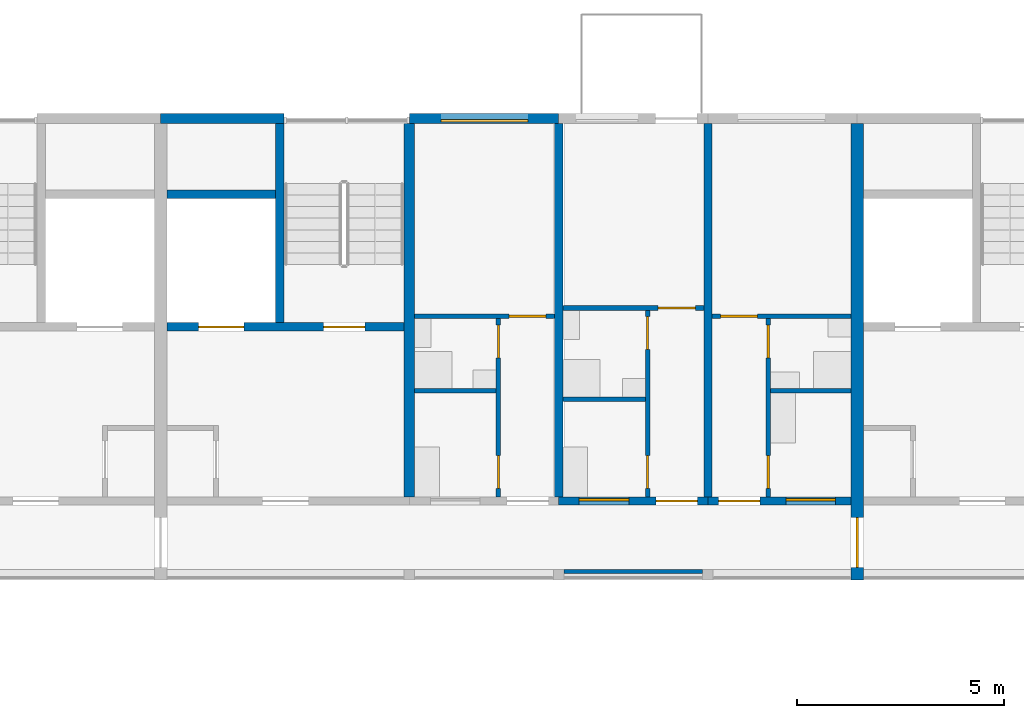
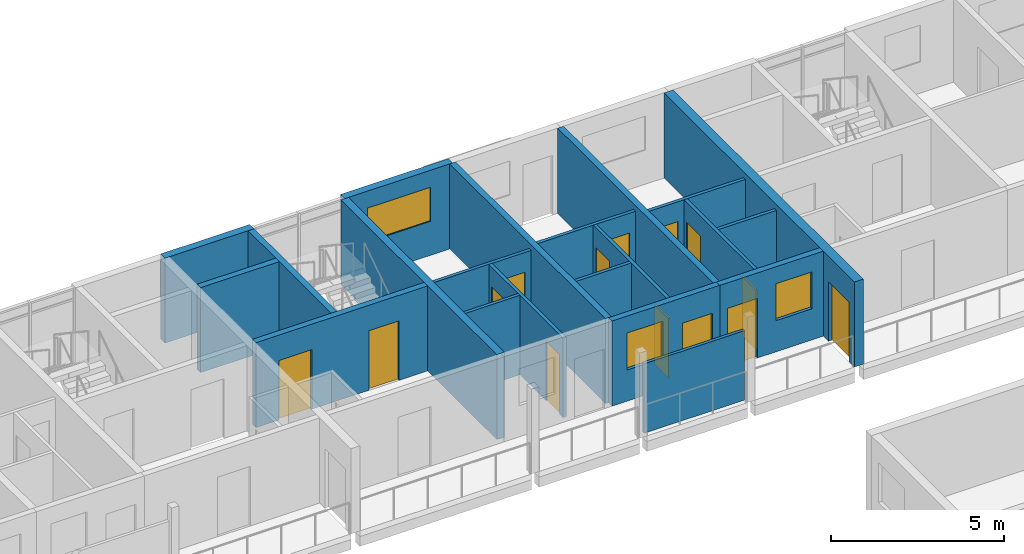
# One storey, part 65 of 122: 21 walls, 14 doors, 3 windows, 17 openings.
"""IFC4 building model written with IfcOpenShell, lengths in metres."""

from ifc_helpers import new_model, si_unit, direction, frame, frame_2d, origin, place, context, subcontext, project, spatial, rectangle, extrude, material, layer, layer_set, type_object, element, fill, save


model = new_model("IFC4")

# Units and contexts
model_context = context("Model", 3, precision=1e-05, world=origin(), true_north=direction((0.0, 1.0)))
body_context = subcontext(model_context, "Body", "Model", "MODEL_VIEW")
ifc_project = project(units=[si_unit("LENGTHUNIT", "METRE"), si_unit("AREAUNIT", "SQUARE_METRE"), si_unit("VOLUMEUNIT", "CUBIC_METRE"), si_unit("PLANEANGLEUNIT", "RADIAN"), si_unit("MASSUNIT", "GRAM", prefix="KILO")], contexts=[model_context])

# Site, building, storey
site_placement = place(None, origin())
site = spatial("IfcSite", under=ifc_project, at=site_placement, CompositionType="ELEMENT")
building_placement = place(site_placement, origin())
building = spatial("IfcBuilding", under=site, at=building_placement, Name="Ridgestep Commons", CompositionType="ELEMENT")
storey_placement = place(building_placement, frame((0.0, 0.0, 3.0)))
storey = spatial("IfcBuildingStorey", under=building, at=storey_placement, Name="L01", CompositionType="ELEMENT", Elevation=3.0)

# Wall
ifc_material_1 = material(Name="Concrete C30/37", Category="concrete")
ifc_layer_1 = layer(ifc_material_1, 0.25)
ifc_layer_set_1 = layer_set([ifc_layer_1], Name="Core cross wall 250")
wall_type_1 = type_object("IfcWallType", Name="Core cross wall 250", PredefinedType="SHEAR", material=ifc_layer_set_1)
wall_1_placement = place(storey_placement, frame((85.199951171875, 68.0, 0.0), z_axis=(0.0, 0.0, 1.0), x_axis=(0.0, 1.0, 0.0)))
element("IfcWall", 1, at=wall_1_placement, inside=storey, type_object=wall_type_1, Name="Cross wall B-01-0852", PredefinedType="SHEAR", context=body_context, shape_type="SweptSolid", body=[
    extrude(rectangle(XDim=9.0, YDim=0.25, at=frame_2d((4.5, 0.0))), origin(), (0.0, 0.0, 1.0), 3.0),
])

# Wall, openings, doors
ifc_material_2 = material(Name="Concrete C30/37", Category="concrete")
ifc_layer_2 = layer(ifc_material_2, 0.199951171875)
ifc_layer_set_2 = layer_set([ifc_layer_2], Name="Core wall 200")
wall_type_2 = type_object("IfcWallType", Name="Core wall 200", PredefinedType="SHEAR", material=ifc_layer_set_2)
wall_2_placement = place(storey_placement, frame((79.35009765625, 72.10009765625, 0.0), z_axis=(0.0, 0.0, 1.0), x_axis=(1.0, 0.0, 0.0)))
wall_2 = element("IfcWall", 2, at=wall_2_placement, inside=storey, type_object=wall_type_2, Name="Core lobby wall B5C L01", PredefinedType="SHEAR", context=body_context, shape_type="SweptSolid", body=[
    extrude(rectangle(XDim=5.724853515625, YDim=0.199951171875, at=frame_2d((2.8623046875, 0.0))), origin(), (0.0, 0.0, 1.0), 3.0),
])
opening_1_placement = place(wall_2_placement, frame((3.77490234375, 0.0, 0.0)))
opening_1 = element("IfcOpeningElement", 3, at=opening_1_placement, cuts=wall_2, Name="Opening B5C/01/2", PredefinedType="OPENING", context=body_context, shape_type="SweptSolid", body=[
    extrude(rectangle(XDim=1.0, YDim=2.10009765625, at=frame_2d((0.5, 1.050048828125))), frame((0.0, 0.10986328125, 0.0), z_axis=(0.0, -1.0, 0.0), x_axis=(1.0, 0.0, 0.0)), (0.0, 0.0, 1.0), 0.219970703125),
])
opening_2_placement = place(wall_2_placement, frame((0.762451171875, 0.0, 0.0)))
opening_2 = element("IfcOpeningElement", 4, at=opening_2_placement, cuts=wall_2, Name="Opening B5C/01/3", PredefinedType="OPENING", context=body_context, shape_type="SweptSolid", body=[
    extrude(rectangle(XDim=1.10009765625, YDim=2.10009765625, at=frame_2d((0.550048828125, 1.050048828125))), frame((0.0, 0.10986328125, 0.0), z_axis=(0.0, -1.0, 0.0), x_axis=(1.0, 0.0, 0.0)), (0.0, 0.0, 1.0), 0.219970703125),
])
ifc_material_3 = material(Name="Stainless steel", Category="steel")
door_type_1 = type_object("IfcDoorType", Name="Lift landing door 1100 x 2100 FD60", OperationType="DOUBLE_DOOR_SLIDING", PredefinedType="DOOR", material=ifc_material_3)
door_1_placement = place(opening_2_placement, origin())
door_1 = element("IfcDoor", 5, at=door_1_placement, inside=storey, type_object=door_type_1, Name="Landing door LD B5C L01", OperationType="DOUBLE_DOOR_SLIDING", OverallHeight=2.10009765625, OverallWidth=1.10009765625, PredefinedType="DOOR", context=body_context, shape_type="SweptSolid", body=[
    extrude(rectangle(XDim=1.10009765625, YDim=2.10009765625, at=frame_2d((0.550048828125, 1.050048828125))), frame((0.0, 0.02490234375, 0.0), z_axis=(0.0, -1.0, 0.0), x_axis=(1.0, 0.0, 0.0)), (0.0, 0.0, 1.0), 0.050048828125),
])
fill(opening_2, door_1)
ifc_material_4 = material(Name="Steel fire door", Category="steel")
door_type_2 = type_object("IfcDoorType", Name="Stair door 1000 x 2100 FD60", OperationType="NOTDEFINED", PredefinedType="DOOR", material=ifc_material_4)
door_2_placement = place(opening_1_placement, origin())
door_2 = element("IfcDoor", 6, at=door_2_placement, inside=storey, type_object=door_type_2, Name="Stair door B5C/01/2", OperationType="SINGLE_SWING_RIGHT", OverallHeight=2.10009765625, OverallWidth=1.0, PredefinedType="DOOR", context=body_context, shape_type="SweptSolid", body=[
    extrude(rectangle(XDim=1.0, YDim=2.10009765625, at=frame_2d((0.5, 1.050048828125))), frame((0.0, 0.02490234375, 0.0), z_axis=(0.0, -1.0, 0.0), x_axis=(1.0, 0.0, 0.0)), (0.0, 0.0, 1.0), 0.050048828125),
])
fill(opening_1, door_2)

# Walls
wall_3_placement = place(storey_placement, frame((82.074951171875, 72.199951171875, 0.0), z_axis=(0.0, 0.0, 1.0), x_axis=(0.0, 1.0, 0.0)))
element("IfcWall", 7, at=wall_3_placement, inside=storey, type_object=wall_type_2, Name="Core stair wall B5C L01", PredefinedType="SHEAR", context=body_context, shape_type="SweptSolid", body=[
    extrude(rectangle(XDim=4.800048828125, YDim=0.199951171875, at=frame_2d((2.39990234375, 0.0))), origin(), (0.0, 0.0, 1.0), 3.0),
])
wall_4_placement = place(storey_placement, frame((79.35009765625, 75.300048828125, 0.0), z_axis=(0.0, 0.0, 1.0), x_axis=(1.0, 0.0, 0.0)))
element("IfcWall", 8, at=wall_4_placement, inside=storey, type_object=wall_type_2, Name="Core duct wall B5C L01", PredefinedType="SHEAR", context=body_context, shape_type="SweptSolid", body=[
    extrude(rectangle(XDim=2.625, YDim=0.199951171875, at=frame_2d((1.3125, 0.0))), origin(), (0.0, 0.0, 1.0), 3.0),
])
ifc_material_5 = material(Name="Precast concrete C40/50", Category="concrete")
ifc_layer_3 = layer(ifc_material_5, 0.199951171875)
ifc_layer_set_3 = layer_set([ifc_layer_3], Name="Cross wall 200")
wall_type_3 = type_object("IfcWallType", Name="Cross wall 200", PredefinedType="SHEAR", material=ifc_layer_set_3)
for number, where, z_axis, x_axis, name in (
    (9, (88.800048828125, 68.0, 0.0), (0.0, 0.0, 1.0), (0.0, 1.0, 0.0), "Cross wall B-01-0888"),
    (10, (92.39990234375, 68.0, 0.0), (0.0, 0.0, 1.0), (0.0, 1.0, 0.0), "Cross wall B-01-0924"),
):
    element("IfcWall", number, at=place(storey_placement, frame(where, z_axis=z_axis, x_axis=x_axis)), inside=storey, type_object=wall_type_3, Name=name, PredefinedType="SHEAR", context=body_context, shape_type="SweptSolid", body=[
        extrude(rectangle(XDim=9.0, YDim=0.199951171875, at=frame_2d((4.5, 0.0))), origin(), (0.0, 0.0, 1.0), 3.0),
    ])

# Wall, opening, door
ifc_material_6 = material(Name="Precast concrete C40/50", Category="concrete")
ifc_layer_4 = layer(ifc_material_6, 0.300048828125)
ifc_layer_set_4 = layer_set([ifc_layer_4], Name="Division wall 300")
wall_type_4 = type_object("IfcWallType", Name="Division wall 300", PredefinedType="SHEAR", material=ifc_layer_set_4)
wall_5_placement = place(storey_placement, frame((96.0, 66.0, 0.0), z_axis=(0.0, 0.0, 1.0), x_axis=(0.0, 1.0, 0.0)))
wall_5 = element("IfcWall", 11, at=wall_5_placement, inside=storey, type_object=wall_type_4, Name="Cross wall B-01-0960", PredefinedType="SHEAR", context=body_context, shape_type="SweptSolid", body=[
    extrude(rectangle(XDim=11.0, YDim=0.300048828125, at=frame_2d((5.5, 0.0))), origin(), (0.0, 0.0, 1.0), 3.0),
])
opening_3_placement = place(wall_5_placement, frame((0.300048828125, 0.0, 0.0)))
opening_3 = element("IfcOpeningElement", 12, at=opening_3_placement, cuts=wall_5, Name="Opening B/01/G0960", PredefinedType="OPENING", context=body_context, shape_type="SweptSolid", body=[
    extrude(rectangle(XDim=1.199951171875, YDim=2.10009765625, at=frame_2d((0.60009765625, 1.050048828125))), frame((0.0, 0.159912109375, 0.0), z_axis=(0.0, -1.0, 0.0), x_axis=(1.0, 0.0, 0.0)), (0.0, 0.0, 1.0), 0.320068359375),
])
ifc_material_7 = material(Name="Steel fire door", Category="steel")
door_type_3 = type_object("IfcDoorType", Name="Division fire door 1200 x 2100 EI 240", OperationType="DOUBLE_DOOR_SINGLE_SWING", PredefinedType="DOOR", material=ifc_material_7)
door_3_placement = place(opening_3_placement, origin())
door_3 = element("IfcDoor", 13, at=door_3_placement, inside=storey, type_object=door_type_3, Name="Division fire door B/01/G0960", OperationType="DOUBLE_DOOR_SINGLE_SWING", OverallHeight=2.10009765625, OverallWidth=1.199951171875, PredefinedType="DOOR", context=body_context, shape_type="SweptSolid", body=[
    extrude(rectangle(XDim=1.199951171875, YDim=2.10009765625, at=frame_2d((0.60009765625, 1.050048828125))), frame((0.0, 0.02490234375, 0.0), z_axis=(0.0, -1.0, 0.0), x_axis=(1.0, 0.0, 0.0)), (0.0, 0.0, 1.0), 0.050048828125),
])
fill(opening_3, door_3)

# Wall
ifc_material_8 = material(Name="Precast concrete C40/50", Category="concrete")
ifc_layer_5 = layer(ifc_material_8, 0.25)
ifc_layer_set_5 = layer_set([ifc_layer_5], Name="North facade panel 250")
wall_type_5 = type_object("IfcWallType", Name="North facade panel 250", PredefinedType="SOLIDWALL", material=ifc_layer_set_5)
wall_6_placement = place(storey_placement, frame((79.199951171875, 77.125, 0.0), z_axis=(0.0, 0.0, 1.0), x_axis=(1.0, 0.0, 0.0)))
element("IfcWall", 14, at=wall_6_placement, inside=storey, type_object=wall_type_5, Name="North panel B5C L01", PredefinedType="SOLIDWALL", context=body_context, shape_type="SweptSolid", body=[
    extrude(rectangle(XDim=2.97509765625, YDim=0.25, at=frame_2d((1.487548828125, 0.0))), origin(), (0.0, 0.0, 1.0), 3.0),
])

# Wall, opening, window
wall_7_placement = place(storey_placement, frame((85.199951171875, 77.125, 0.0), z_axis=(0.0, 0.0, 1.0), x_axis=(1.0, 0.0, 0.0)))
wall_7 = element("IfcWall", 15, at=wall_7_placement, inside=storey, type_object=wall_type_5, Name="North panel B5T3 L01", PredefinedType="SOLIDWALL", context=body_context, shape_type="SweptSolid", body=[
    extrude(rectangle(XDim=3.60009765625, YDim=0.25, at=frame_2d((1.800048828125, 0.0))), origin(), (0.0, 0.0, 1.0), 3.0),
])
opening_4_placement = place(wall_7_placement, frame((0.762451171875, 0.0, 1.199951171875)))
opening_4 = element("IfcOpeningElement", 16, at=opening_4_placement, cuts=wall_7, Name="Opening W22", PredefinedType="OPENING", context=body_context, shape_type="SweptSolid", body=[
    extrude(rectangle(XDim=2.10009765625, YDim=1.199951171875, at=frame_2d((1.050048828125, 0.60009765625))), frame((0.0, 0.135009765625, 0.0), z_axis=(0.0, -1.0, 0.0), x_axis=(1.0, 0.0, 0.0)), (0.0, 0.0, 1.0), 0.27001953125),
])
ifc_material_9 = material(Name="Aluminium 6063-T6 and glass", Category="aluminium")
window_type_1 = type_object("IfcWindowType", Name="Flat window 2100 x 1200", PartitioningType="DOUBLE_PANEL_VERTICAL", PredefinedType="WINDOW", material=ifc_material_9)
window_1_placement = place(opening_4_placement, origin())
window_1 = element("IfcWindow", 17, at=window_1_placement, inside=storey, type_object=window_type_1, Name="Window B5-01c 2", OverallHeight=1.199951171875, OverallWidth=2.10009765625, PartitioningType="SINGLE_PANEL", PredefinedType="WINDOW", context=body_context, shape_type="SweptSolid", body=[
    extrude(rectangle(XDim=2.10009765625, YDim=1.199951171875, at=frame_2d((1.050048828125, 0.60009765625))), frame((0.0, -0.02490234375, 0.0), z_axis=(0.0, -1.0, 0.0), x_axis=(1.0, 0.0, 0.0)), (0.0, 0.0, 1.0), 0.06005859375),
])
fill(opening_4, window_1)

# Wall, openings, doors
ifc_material_10 = material(Name="Common brick 110 mm", Category="masonry")
ifc_layer_6 = layer(ifc_material_10, 0.110107421875)
ifc_layer_set_6 = layer_set([ifc_layer_6], Name="Partition 110")
wall_type_6 = type_object("IfcWallType", Name="Partition 110", PredefinedType="PARTITIONING", material=ifc_layer_set_6)
wall_8_placement = place(storey_placement, frame((93.85498046875, 68.0, 0.0), z_axis=(0.0, 0.0, 1.0), x_axis=(0.0, 1.0, 0.0)))
wall_8 = element("IfcWall", 18, at=wall_8_placement, inside=storey, type_object=wall_type_6, Name="Partition B5-01a", PredefinedType="PARTITIONING", context=body_context, shape_type="SweptSolid", body=[
    extrude(rectangle(XDim=4.300048828125, YDim=0.110107421875, at=frame_2d((2.14990234375, 0.0))), origin(), (0.0, 0.0, 1.0), 2.800048828125),
])
opening_5_placement = place(wall_8_placement, frame((0.199951171875, 0.0, 0.0)))
opening_5 = element("IfcOpeningElement", 19, at=opening_5_placement, cuts=wall_8, Name="Opening B5-01a/2", PredefinedType="OPENING", context=body_context, shape_type="SweptSolid", body=[
    extrude(rectangle(XDim=0.800048828125, YDim=2.10009765625, at=frame_2d((0.39990234375, 1.050048828125))), frame((0.0, 0.06494140625, 0.0), z_axis=(0.0, -1.0, 0.0), x_axis=(1.0, 0.0, 0.0)), (0.0, 0.0, 1.0), 0.130126953125),
])
opening_6_placement = place(wall_8_placement, frame((3.35009765625, 0.0, 0.0)))
opening_6 = element("IfcOpeningElement", 20, at=opening_6_placement, cuts=wall_8, Name="Opening B5-01a/3", PredefinedType="OPENING", context=body_context, shape_type="SweptSolid", body=[
    extrude(rectangle(XDim=0.800048828125, YDim=2.10009765625, at=frame_2d((0.39990234375, 1.050048828125))), frame((0.0, 0.06494140625, 0.0), z_axis=(0.0, -1.0, 0.0), x_axis=(1.0, 0.0, 0.0)), (0.0, 0.0, 1.0), 0.130126953125),
])
ifc_material_11 = material(Name="Timber door leaf", Category="wood")
door_type_4 = type_object("IfcDoorType", Name="Internal door 800 x 2100", OperationType="NOTDEFINED", PredefinedType="DOOR", material=ifc_material_11)
door_4_placement = place(opening_5_placement, origin())
door_4 = element("IfcDoor", 21, at=door_4_placement, inside=storey, type_object=door_type_4, Name="Internal door B5-01a/2", OperationType="SINGLE_SWING_RIGHT", OverallHeight=2.10009765625, OverallWidth=0.800048828125, PredefinedType="DOOR", context=body_context, shape_type="SweptSolid", body=[
    extrude(rectangle(XDim=0.800048828125, YDim=2.10009765625, at=frame_2d((0.39990234375, 1.050048828125))), frame((0.0, 0.02490234375, 0.0), z_axis=(0.0, -1.0, 0.0), x_axis=(1.0, 0.0, 0.0)), (0.0, 0.0, 1.0), 0.050048828125),
])
fill(opening_5, door_4)
door_5_placement = place(opening_6_placement, origin())
door_5 = element("IfcDoor", 22, at=door_5_placement, inside=storey, type_object=door_type_4, Name="Internal door B5-01a/3", OperationType="SINGLE_SWING_LEFT", OverallHeight=2.10009765625, OverallWidth=0.800048828125, PredefinedType="DOOR", context=body_context, shape_type="SweptSolid", body=[
    extrude(rectangle(XDim=0.800048828125, YDim=2.10009765625, at=frame_2d((0.39990234375, 1.050048828125))), frame((0.0, 0.02490234375, 0.0), z_axis=(0.0, -1.0, 0.0), x_axis=(1.0, 0.0, 0.0)), (0.0, 0.0, 1.0), 0.050048828125),
])
fill(opening_6, door_5)

# Wall
wall_9_placement = place(storey_placement, frame((93.909912109375, 70.554931640625, 0.0), z_axis=(0.0, 0.0, 1.0), x_axis=(1.0, 0.0, 0.0)))
element("IfcWall", 23, at=wall_9_placement, inside=storey, type_object=wall_type_6, Name="Partition B5-01a", PredefinedType="PARTITIONING", context=body_context, shape_type="SweptSolid", body=[
    extrude(rectangle(XDim=1.940185546875, YDim=0.110107421875, at=frame_2d((0.97021484375, 0.0))), origin(), (0.0, 0.0, 1.0), 2.800048828125),
])

# Wall, opening, door
wall_10_placement = place(storey_placement, frame((92.5, 72.35498046875, 0.0), z_axis=(0.0, 0.0, 1.0), x_axis=(1.0, 0.0, 0.0)))
wall_10 = element("IfcWall", 24, at=wall_10_placement, inside=storey, type_object=wall_type_6, Name="Partition B5-01a", PredefinedType="PARTITIONING", context=body_context, shape_type="SweptSolid", body=[
    extrude(rectangle(XDim=3.35009765625, YDim=0.110107421875, at=frame_2d((1.675048828125, 0.0))), origin(), (0.0, 0.0, 1.0), 2.800048828125),
])
opening_7_placement = place(wall_10_placement, frame((0.199951171875, 0.0, 0.0)))
opening_7 = element("IfcOpeningElement", 25, at=opening_7_placement, cuts=wall_10, Name="Opening B5-01a/4", PredefinedType="OPENING", context=body_context, shape_type="SweptSolid", body=[
    extrude(rectangle(XDim=0.89990234375, YDim=2.10009765625, at=frame_2d((0.449951171875, 1.050048828125))), frame((0.0, 0.06494140625, 0.0), z_axis=(0.0, -1.0, 0.0), x_axis=(1.0, 0.0, 0.0)), (0.0, 0.0, 1.0), 0.130126953125),
])
ifc_material_12 = material(Name="Timber door leaf", Category="wood")
door_type_5 = type_object("IfcDoorType", Name="Internal door 900 x 2100", OperationType="NOTDEFINED", PredefinedType="DOOR", material=ifc_material_12)
door_6_placement = place(opening_7_placement, origin())
door_6 = element("IfcDoor", 26, at=door_6_placement, inside=storey, type_object=door_type_5, Name="Internal door B5-01a/4", OperationType="SINGLE_SWING_RIGHT", OverallHeight=2.10009765625, OverallWidth=0.89990234375, PredefinedType="DOOR", context=body_context, shape_type="SweptSolid", body=[
    extrude(rectangle(XDim=0.89990234375, YDim=2.10009765625, at=frame_2d((0.449951171875, 1.050048828125))), frame((0.0, 0.02490234375, 0.0), z_axis=(0.0, -1.0, 0.0), x_axis=(1.0, 0.0, 0.0)), (0.0, 0.0, 1.0), 0.050048828125),
])
fill(opening_7, door_6)

# Wall
wall_11_placement = place(storey_placement, frame((88.89990234375, 70.35498046875, 0.0), z_axis=(0.0, 0.0, 1.0), x_axis=(1.0, 0.0, 0.0)))
element("IfcWall", 27, at=wall_11_placement, inside=storey, type_object=wall_type_6, Name="Partition B5-01b", PredefinedType="PARTITIONING", context=body_context, shape_type="SweptSolid", body=[
    extrude(rectangle(XDim=1.989990234375, YDim=0.110107421875, at=frame_2d((0.9951171875, 0.0))), origin(), (0.0, 0.0, 1.0), 2.800048828125),
])

# Wall, openings, doors
wall_12_placement = place(storey_placement, frame((90.945068359375, 68.0, 0.0), z_axis=(0.0, 0.0, 1.0), x_axis=(0.0, 1.0, 0.0)))
wall_12 = element("IfcWall", 28, at=wall_12_placement, inside=storey, type_object=wall_type_6, Name="Partition B5-01b", PredefinedType="PARTITIONING", context=body_context, shape_type="SweptSolid", body=[
    extrude(rectangle(XDim=4.5, YDim=0.110107421875, at=frame_2d((2.25, 0.0))), origin(), (0.0, 0.0, 1.0), 2.800048828125),
])
opening_8_placement = place(wall_12_placement, frame((0.199951171875, 0.0, 0.0)))
opening_8 = element("IfcOpeningElement", 29, at=opening_8_placement, cuts=wall_12, Name="Opening B5-01b/2", PredefinedType="OPENING", context=body_context, shape_type="SweptSolid", body=[
    extrude(rectangle(XDim=0.800048828125, YDim=2.10009765625, at=frame_2d((0.39990234375, 1.050048828125))), frame((0.0, 0.06494140625, 0.0), z_axis=(0.0, -1.0, 0.0), x_axis=(1.0, 0.0, 0.0)), (0.0, 0.0, 1.0), 0.130126953125),
])
opening_9_placement = place(wall_12_placement, frame((3.550048828125, 0.0, 0.0)))
opening_9 = element("IfcOpeningElement", 30, at=opening_9_placement, cuts=wall_12, Name="Opening B5-01b/3", PredefinedType="OPENING", context=body_context, shape_type="SweptSolid", body=[
    extrude(rectangle(XDim=0.800048828125, YDim=2.10009765625, at=frame_2d((0.39990234375, 1.050048828125))), frame((0.0, 0.06494140625, 0.0), z_axis=(0.0, -1.0, 0.0), x_axis=(1.0, 0.0, 0.0)), (0.0, 0.0, 1.0), 0.130126953125),
])
door_7_placement = place(opening_8_placement, origin())
door_7 = element("IfcDoor", 31, at=door_7_placement, inside=storey, type_object=door_type_4, Name="Internal door B5-01b/2", OperationType="SINGLE_SWING_LEFT", OverallHeight=2.10009765625, OverallWidth=0.800048828125, PredefinedType="DOOR", context=body_context, shape_type="SweptSolid", body=[
    extrude(rectangle(XDim=0.800048828125, YDim=2.10009765625, at=frame_2d((0.39990234375, 1.050048828125))), frame((0.0, 0.02490234375, 0.0), z_axis=(0.0, -1.0, 0.0), x_axis=(1.0, 0.0, 0.0)), (0.0, 0.0, 1.0), 0.050048828125),
])
fill(opening_8, door_7)
door_8_placement = place(opening_9_placement, origin())
door_8 = element("IfcDoor", 32, at=door_8_placement, inside=storey, type_object=door_type_4, Name="Internal door B5-01b/3", OperationType="SINGLE_SWING_RIGHT", OverallHeight=2.10009765625, OverallWidth=0.800048828125, PredefinedType="DOOR", context=body_context, shape_type="SweptSolid", body=[
    extrude(rectangle(XDim=0.800048828125, YDim=2.10009765625, at=frame_2d((0.39990234375, 1.050048828125))), frame((0.0, 0.02490234375, 0.0), z_axis=(0.0, -1.0, 0.0), x_axis=(1.0, 0.0, 0.0)), (0.0, 0.0, 1.0), 0.050048828125),
])
fill(opening_9, door_8)

# Wall, opening, door
wall_13_placement = place(storey_placement, frame((88.89990234375, 72.554931640625, 0.0), z_axis=(0.0, 0.0, 1.0), x_axis=(1.0, 0.0, 0.0)))
wall_13 = element("IfcWall", 33, at=wall_13_placement, inside=storey, type_object=wall_type_6, Name="Partition B5-01b", PredefinedType="PARTITIONING", context=body_context, shape_type="SweptSolid", body=[
    extrude(rectangle(XDim=3.400146484375, YDim=0.110107421875, at=frame_2d((1.7001953125, 0.0))), origin(), (0.0, 0.0, 1.0), 2.800048828125),
])
opening_10_placement = place(wall_13_placement, frame((2.300048828125, 0.0, 0.0)))
opening_10 = element("IfcOpeningElement", 34, at=opening_10_placement, cuts=wall_13, Name="Opening B5-01b/4", PredefinedType="OPENING", context=body_context, shape_type="SweptSolid", body=[
    extrude(rectangle(XDim=0.89990234375, YDim=2.10009765625, at=frame_2d((0.449951171875, 1.050048828125))), frame((0.0, 0.06494140625, 0.0), z_axis=(0.0, -1.0, 0.0), x_axis=(1.0, 0.0, 0.0)), (0.0, 0.0, 1.0), 0.130126953125),
])
door_9_placement = place(opening_10_placement, origin())
door_9 = element("IfcDoor", 35, at=door_9_placement, inside=storey, type_object=door_type_5, Name="Internal door B5-01b/4", OperationType="SINGLE_SWING_LEFT", OverallHeight=2.10009765625, OverallWidth=0.89990234375, PredefinedType="DOOR", context=body_context, shape_type="SweptSolid", body=[
    extrude(rectangle(XDim=0.89990234375, YDim=2.10009765625, at=frame_2d((0.449951171875, 1.050048828125))), frame((0.0, 0.02490234375, 0.0), z_axis=(0.0, -1.0, 0.0), x_axis=(1.0, 0.0, 0.0)), (0.0, 0.0, 1.0), 0.050048828125),
])
fill(opening_10, door_9)

# Wall
wall_14_placement = place(storey_placement, frame((85.324951171875, 70.554931640625, 0.0), z_axis=(0.0, 0.0, 1.0), x_axis=(1.0, 0.0, 0.0)))
element("IfcWall", 36, at=wall_14_placement, inside=storey, type_object=wall_type_6, Name="Partition B5-01c", PredefinedType="PARTITIONING", context=body_context, shape_type="SweptSolid", body=[
    extrude(rectangle(XDim=1.965087890625, YDim=0.110107421875, at=frame_2d((0.982421875, 0.0))), origin(), (0.0, 0.0, 1.0), 2.800048828125),
])

# Wall, openings, doors
wall_15_placement = place(storey_placement, frame((87.344970703125, 68.0, 0.0), z_axis=(0.0, 0.0, 1.0), x_axis=(0.0, 1.0, 0.0)))
wall_15 = element("IfcWall", 37, at=wall_15_placement, inside=storey, type_object=wall_type_6, Name="Partition B5-01c", PredefinedType="PARTITIONING", context=body_context, shape_type="SweptSolid", body=[
    extrude(rectangle(XDim=4.300048828125, YDim=0.110107421875, at=frame_2d((2.14990234375, 0.0))), origin(), (0.0, 0.0, 1.0), 2.800048828125),
])
opening_11_placement = place(wall_15_placement, frame((0.199951171875, 0.0, 0.0)))
opening_11 = element("IfcOpeningElement", 38, at=opening_11_placement, cuts=wall_15, Name="Opening B5-01c/2", PredefinedType="OPENING", context=body_context, shape_type="SweptSolid", body=[
    extrude(rectangle(XDim=0.800048828125, YDim=2.10009765625, at=frame_2d((0.39990234375, 1.050048828125))), frame((0.0, 0.06494140625, 0.0), z_axis=(0.0, -1.0, 0.0), x_axis=(1.0, 0.0, 0.0)), (0.0, 0.0, 1.0), 0.130126953125),
])
opening_12_placement = place(wall_15_placement, frame((3.35009765625, 0.0, 0.0)))
opening_12 = element("IfcOpeningElement", 39, at=opening_12_placement, cuts=wall_15, Name="Opening B5-01c/3", PredefinedType="OPENING", context=body_context, shape_type="SweptSolid", body=[
    extrude(rectangle(XDim=0.800048828125, YDim=2.10009765625, at=frame_2d((0.39990234375, 1.050048828125))), frame((0.0, 0.06494140625, 0.0), z_axis=(0.0, -1.0, 0.0), x_axis=(1.0, 0.0, 0.0)), (0.0, 0.0, 1.0), 0.130126953125),
])
door_10_placement = place(opening_11_placement, origin())
door_10 = element("IfcDoor", 40, at=door_10_placement, inside=storey, type_object=door_type_4, Name="Internal door B5-01c/2", OperationType="SINGLE_SWING_LEFT", OverallHeight=2.10009765625, OverallWidth=0.800048828125, PredefinedType="DOOR", context=body_context, shape_type="SweptSolid", body=[
    extrude(rectangle(XDim=0.800048828125, YDim=2.10009765625, at=frame_2d((0.39990234375, 1.050048828125))), frame((0.0, 0.02490234375, 0.0), z_axis=(0.0, -1.0, 0.0), x_axis=(1.0, 0.0, 0.0)), (0.0, 0.0, 1.0), 0.050048828125),
])
fill(opening_11, door_10)
door_11_placement = place(opening_12_placement, origin())
door_11 = element("IfcDoor", 41, at=door_11_placement, inside=storey, type_object=door_type_4, Name="Internal door B5-01c/3", OperationType="SINGLE_SWING_RIGHT", OverallHeight=2.10009765625, OverallWidth=0.800048828125, PredefinedType="DOOR", context=body_context, shape_type="SweptSolid", body=[
    extrude(rectangle(XDim=0.800048828125, YDim=2.10009765625, at=frame_2d((0.39990234375, 1.050048828125))), frame((0.0, 0.02490234375, 0.0), z_axis=(0.0, -1.0, 0.0), x_axis=(1.0, 0.0, 0.0)), (0.0, 0.0, 1.0), 0.050048828125),
])
fill(opening_12, door_11)

# Wall, opening, door
wall_16_placement = place(storey_placement, frame((85.324951171875, 72.35498046875, 0.0), z_axis=(0.0, 0.0, 1.0), x_axis=(1.0, 0.0, 0.0)))
wall_16 = element("IfcWall", 42, at=wall_16_placement, inside=storey, type_object=wall_type_6, Name="Partition B5-01c", PredefinedType="PARTITIONING", context=body_context, shape_type="SweptSolid", body=[
    extrude(rectangle(XDim=3.375, YDim=0.110107421875, at=frame_2d((1.6875, 0.0))), origin(), (0.0, 0.0, 1.0), 2.800048828125),
])
opening_13_placement = place(wall_16_placement, frame((2.27490234375, 0.0, 0.0)))
opening_13 = element("IfcOpeningElement", 43, at=opening_13_placement, cuts=wall_16, Name="Opening B5-01c/4", PredefinedType="OPENING", context=body_context, shape_type="SweptSolid", body=[
    extrude(rectangle(XDim=0.89990234375, YDim=2.10009765625, at=frame_2d((0.449951171875, 1.050048828125))), frame((0.0, 0.06494140625, 0.0), z_axis=(0.0, -1.0, 0.0), x_axis=(1.0, 0.0, 0.0)), (0.0, 0.0, 1.0), 0.130126953125),
])
door_12_placement = place(opening_13_placement, origin())
door_12 = element("IfcDoor", 44, at=door_12_placement, inside=storey, type_object=door_type_5, Name="Internal door B5-01c/4", OperationType="SINGLE_SWING_RIGHT", OverallHeight=2.10009765625, OverallWidth=0.89990234375, PredefinedType="DOOR", context=body_context, shape_type="SweptSolid", body=[
    extrude(rectangle(XDim=0.89990234375, YDim=2.10009765625, at=frame_2d((0.449951171875, 1.050048828125))), frame((0.0, 0.02490234375, 0.0), z_axis=(0.0, -1.0, 0.0), x_axis=(1.0, 0.0, 0.0)), (0.0, 0.0, 1.0), 0.050048828125),
])
fill(opening_13, door_12)

# Wall
ifc_material_13 = material(Name="Precast concrete C30/37", Category="concrete")
ifc_layer_7 = layer(ifc_material_13, 0.10009765625)
ifc_layer_set_7 = layer_set([ifc_layer_7], Name="Perforated gallery screen 3350 x 2450 x 100")
wall_type_7 = type_object("IfcWallType", Name="Perforated gallery screen 3350 x 2450 x 100", PredefinedType="SOLIDWALL", material=ifc_layer_set_7)
wall_17_placement = place(storey_placement, frame((88.925048828125, 66.199951171875, 0.0), z_axis=(0.0, 0.0, 1.0), x_axis=(1.0, 0.0, 0.0)))
element("IfcWall", 45, at=wall_17_placement, inside=storey, type_object=wall_type_7, Name="Gallery screen B5T2 01", PredefinedType="SOLIDWALL", context=body_context, shape_type="SweptSolid", body=[
    extrude(rectangle(XDim=3.349853515625, YDim=0.10009765625, at=frame_2d((1.6748046875, 0.0))), origin(), (0.0, 0.0, 1.0), 2.449951171875),
])

# Wall, openings, door, window
ifc_material_14 = material(Name="Precast concrete C40/50", Category="concrete")
ifc_layer_8 = layer(ifc_material_14, 0.199951171875)
ifc_layer_set_8 = layer_set([ifc_layer_8], Name="South facade panel 200")
wall_type_8 = type_object("IfcWallType", Name="South facade panel 200", PredefinedType="SOLIDWALL", material=ifc_layer_set_8)
wall_18_placement = place(storey_placement, frame((88.800048828125, 67.89990234375, 0.0), z_axis=(0.0, 0.0, 1.0), x_axis=(1.0, 0.0, 0.0)))
wall_18 = element("IfcWall", 46, at=wall_18_placement, inside=storey, type_object=wall_type_8, Name="South panel B5T2 L01", PredefinedType="SOLIDWALL", context=body_context, shape_type="SweptSolid", body=[
    extrude(rectangle(XDim=3.599853515625, YDim=0.199951171875, at=frame_2d((1.7998046875, 0.0))), origin(), (0.0, 0.0, 1.0), 3.0),
])
opening_14_placement = place(wall_18_placement, frame((0.4951171875, 0.0, 1.10009765625)))
opening_14 = element("IfcOpeningElement", 47, at=opening_14_placement, cuts=wall_18, Name="Opening W08", PredefinedType="OPENING", context=body_context, shape_type="SweptSolid", body=[
    extrude(rectangle(XDim=1.199951171875, YDim=1.300048828125, at=frame_2d((0.60009765625, 0.64990234375))), frame((0.0, 0.10986328125, 0.0), z_axis=(0.0, -1.0, 0.0), x_axis=(1.0, 0.0, 0.0)), (0.0, 0.0, 1.0), 0.219970703125),
])
opening_15_placement = place(wall_18_placement, frame((2.35009765625, 0.0, 0.0)))
opening_15 = element("IfcOpeningElement", 48, at=opening_15_placement, cuts=wall_18, Name="Opening B5-01b/1", PredefinedType="OPENING", context=body_context, shape_type="SweptSolid", body=[
    extrude(rectangle(XDim=1.0, YDim=2.10009765625, at=frame_2d((0.5, 1.050048828125))), frame((0.0, 0.10986328125, 0.0), z_axis=(0.0, -1.0, 0.0), x_axis=(1.0, 0.0, 0.0)), (0.0, 0.0, 1.0), 0.219970703125),
])
ifc_material_15 = material(Name="Timber door leaf", Category="wood")
door_type_6 = type_object("IfcDoorType", Name="Flat entrance door 1000 x 2100 FD30S", OperationType="NOTDEFINED", PredefinedType="DOOR", material=ifc_material_15)
door_13_placement = place(opening_15_placement, origin())
door_13 = element("IfcDoor", 49, at=door_13_placement, inside=storey, type_object=door_type_6, Name="Flat entrance door B5-01b/1", OperationType="SINGLE_SWING_RIGHT", OverallHeight=2.10009765625, OverallWidth=1.0, PredefinedType="DOOR", context=body_context, shape_type="SweptSolid", body=[
    extrude(rectangle(XDim=1.0, YDim=2.10009765625, at=frame_2d((0.5, 1.050048828125))), frame((0.0, 0.02490234375, 0.0), z_axis=(0.0, -1.0, 0.0), x_axis=(1.0, 0.0, 0.0)), (0.0, 0.0, 1.0), 0.050048828125),
])
fill(opening_15, door_13)
ifc_material_16 = material(Name="Aluminium 6063-T6 and glass", Category="aluminium")
window_type_2 = type_object("IfcWindowType", Name="Flat window 1200 x 1300", PartitioningType="SINGLE_PANEL", PredefinedType="WINDOW", material=ifc_material_16)
window_2_placement = place(opening_14_placement, origin())
window_2 = element("IfcWindow", 50, at=window_2_placement, inside=storey, type_object=window_type_2, Name="Window B5-01b 1", OverallHeight=1.300048828125, OverallWidth=1.199951171875, PartitioningType="SINGLE_PANEL", PredefinedType="WINDOW", context=body_context, shape_type="SweptSolid", body=[
    extrude(rectangle(XDim=1.199951171875, YDim=1.300048828125, at=frame_2d((0.60009765625, 0.64990234375))), frame((0.0, 0.06005859375, 0.0), z_axis=(0.0, -1.0, 0.0), x_axis=(1.0, 0.0, 0.0)), (0.0, 0.0, 1.0), 0.06005859375),
])
fill(opening_14, window_2)

wall_19_placement = place(storey_placement, frame((92.39990234375, 67.89990234375, 0.0), z_axis=(0.0, 0.0, 1.0), x_axis=(1.0, 0.0, 0.0)))
wall_19 = element("IfcWall", 51, at=wall_19_placement, inside=storey, type_object=wall_type_8, Name="South panel B5T1 L01", PredefinedType="SOLIDWALL", context=body_context, shape_type="SweptSolid", body=[
    extrude(rectangle(XDim=3.4501953125, YDim=0.199951171875, at=frame_2d((1.72509765625, 0.0))), origin(), (0.0, 0.0, 1.0), 3.0),
])
opening_16_placement = place(wall_19_placement, frame((1.8798828125, 0.0, 1.10009765625)))
opening_16 = element("IfcOpeningElement", 52, at=opening_16_placement, cuts=wall_19, Name="Opening W08", PredefinedType="OPENING", context=body_context, shape_type="SweptSolid", body=[
    extrude(rectangle(XDim=1.199951171875, YDim=1.300048828125, at=frame_2d((0.60009765625, 0.64990234375))), frame((0.0, 0.10986328125, 0.0), z_axis=(0.0, -1.0, 0.0), x_axis=(1.0, 0.0, 0.0)), (0.0, 0.0, 1.0), 0.219970703125),
])
opening_17_placement = place(wall_19_placement, frame((0.25, 0.0, 0.0)))
opening_17 = element("IfcOpeningElement", 53, at=opening_17_placement, cuts=wall_19, Name="Opening B5-01a/1", PredefinedType="OPENING", context=body_context, shape_type="SweptSolid", body=[
    extrude(rectangle(XDim=1.0, YDim=2.10009765625, at=frame_2d((0.5, 1.050048828125))), frame((0.0, 0.10986328125, 0.0), z_axis=(0.0, -1.0, 0.0), x_axis=(1.0, 0.0, 0.0)), (0.0, 0.0, 1.0), 0.219970703125),
])
door_14_placement = place(opening_17_placement, origin())
door_14 = element("IfcDoor", 54, at=door_14_placement, inside=storey, type_object=door_type_6, Name="Flat entrance door B5-01a/1", OperationType="SINGLE_SWING_LEFT", OverallHeight=2.10009765625, OverallWidth=1.0, PredefinedType="DOOR", context=body_context, shape_type="SweptSolid", body=[
    extrude(rectangle(XDim=1.0, YDim=2.10009765625, at=frame_2d((0.5, 1.050048828125))), frame((0.0, 0.02490234375, 0.0), z_axis=(0.0, -1.0, 0.0), x_axis=(1.0, 0.0, 0.0)), (0.0, 0.0, 1.0), 0.050048828125),
])
fill(opening_17, door_14)
window_3_placement = place(opening_16_placement, origin())
window_3 = element("IfcWindow", 55, at=window_3_placement, inside=storey, type_object=window_type_2, Name="Window B5-01a 1", OverallHeight=1.300048828125, OverallWidth=1.199951171875, PartitioningType="SINGLE_PANEL", PredefinedType="WINDOW", context=body_context, shape_type="SweptSolid", body=[
    extrude(rectangle(XDim=1.199951171875, YDim=1.300048828125, at=frame_2d((0.60009765625, 0.64990234375))), frame((0.0, 0.06005859375, 0.0), z_axis=(0.0, -1.0, 0.0), x_axis=(1.0, 0.0, 0.0)), (0.0, 0.0, 1.0), 0.06005859375),
])
fill(opening_16, window_3)

save(model, "model.ifc")
